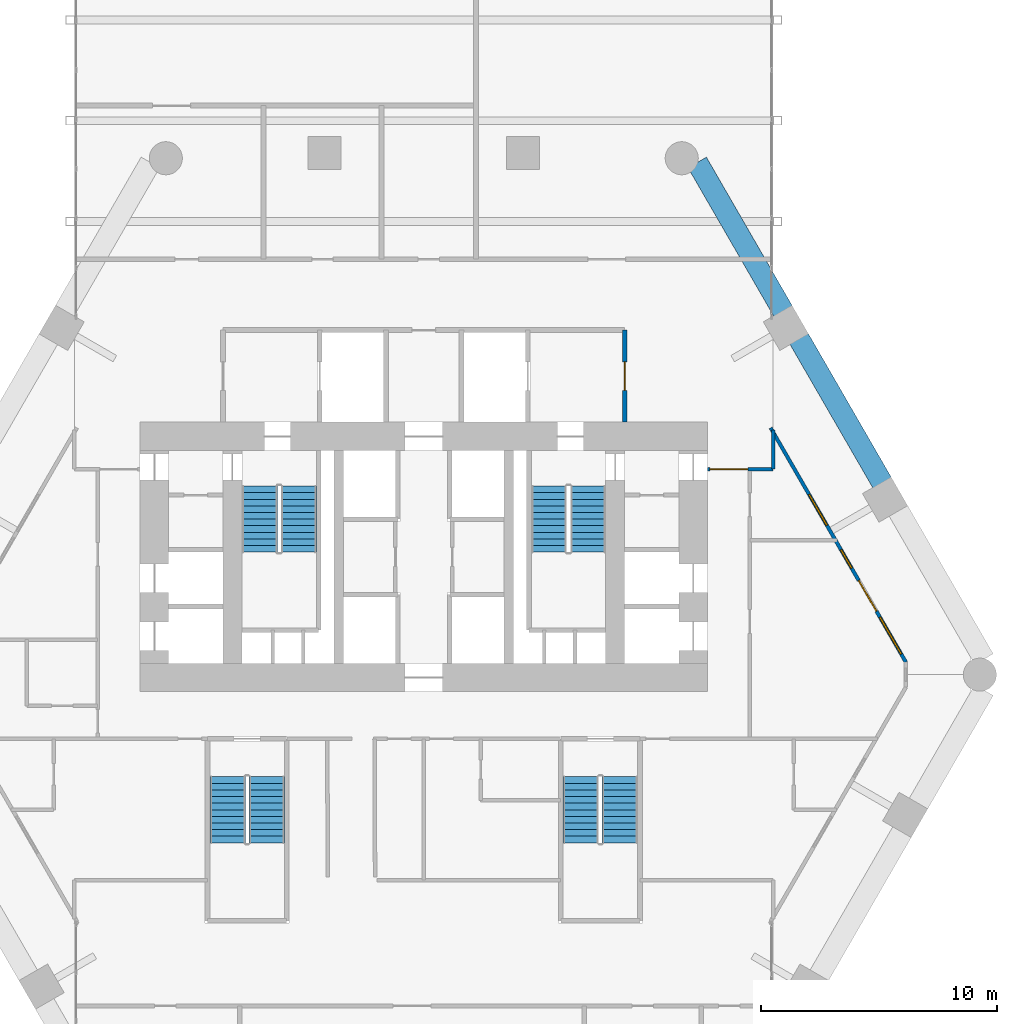
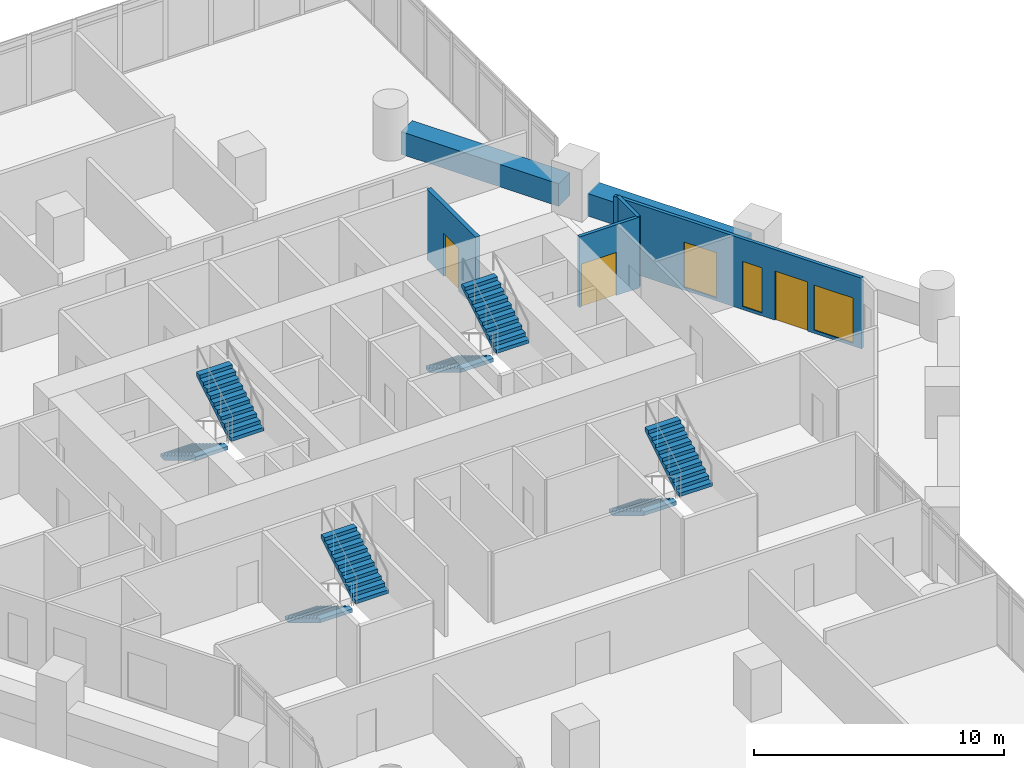
# One storey, part 27 of 28: 8 stair flights, 6 walls, 3 doors, 3 windows, 6 openings, 4 elements without a shape of their own.
"""IFC4 building model written with IfcOpenShell, lengths in metres."""

from ifc_helpers import new_model, si_unit, direction, frame, frame_2d, origin, place, context, subcontext, project, spatial, polyline, rectangle, outline, extrude, material, layer, layer_set, type_object, element, fill, aggregate, save


model = new_model("IFC4")

# Units and contexts
model_context = context("Model", 3, precision=1e-05, world=origin(), true_north=direction((0.0, 1.0)))
body_context = subcontext(model_context, "Body", "Model", "MODEL_VIEW")
ifc_project = project(units=[si_unit("LENGTHUNIT", "METRE"), si_unit("AREAUNIT", "SQUARE_METRE"), si_unit("VOLUMEUNIT", "CUBIC_METRE"), si_unit("PLANEANGLEUNIT", "RADIAN"), si_unit("MASSUNIT", "GRAM", prefix="KILO")], contexts=[model_context])

# Site, building, storey
site_placement = place(None, origin())
site = spatial("IfcSite", under=ifc_project, at=site_placement, CompositionType="ELEMENT")
building_placement = place(site_placement, origin())
building = spatial("IfcBuilding", under=site, at=building_placement, Name="Ostrander Bayou Hotel Tower", CompositionType="ELEMENT")
storey_placement = place(building_placement, frame((0.0, 0.0, 73.0)))
storey = spatial("IfcBuildingStorey", under=building, at=storey_placement, Name="L18", CompositionType="ELEMENT", Elevation=73.0)

# Wall, openings, door, windows
ifc_material_1 = material(Name="Aluminium framed insulated wall", Category="aluminium")
ifc_layer_1 = layer(ifc_material_1, 0.14990234375)
ifc_layer_set_1 = layer_set([ifc_layer_1], Name="GW1 glass-line wall 150 mm")
wall_type_1 = type_object("IfcWallType", Name="GW1 glass-line wall 150 mm", PredefinedType="SOLIDWALL", material=ifc_layer_set_1)
wall_1_placement = place(storey_placement, frame((20.40087890625, -0.449462890625, 0.0), z_axis=(0.0, 0.0, 1.0), x_axis=(-0.499991453095, 0.866030338286, 0.0)))
wall_1 = element("IfcWall", 1, at=wall_1_placement, inside=storey, type_object=wall_type_1, Name="GW1 L18 NE 1", PredefinedType="SOLIDWALL", context=body_context, shape_type="SweptSolid", body=[
    extrude(rectangle(XDim=11.444091796875, YDim=0.14990234375, at=frame_2d((5.72216796875, 0.0))), origin(), (0.0, 0.0, 1.0), 3.449951171875),
])
opening_1_placement = place(wall_1_placement, frame((0.3896484375, 0.0, 0.14990234375)))
opening_1 = element("IfcOpeningElement", 2, at=opening_1_placement, cuts=wall_1, Name="Opening W7", PredefinedType="OPENING", context=body_context, shape_type="SweptSolid", body=[
    extrude(rectangle(XDim=1.800048828125, YDim=2.199951171875, at=frame_2d((0.89990234375, 1.10009765625))), frame((0.0, 0.074951171875, 0.0), z_axis=(0.0, -1.0, 0.0), x_axis=(1.0, 0.0, 0.0)), (0.0, 0.0, 1.0), 0.14990234375),
])
opening_2_placement = place(wall_1_placement, frame((2.48974609375, 0.0, 0.0)))
opening_2 = element("IfcOpeningElement", 3, at=opening_2_placement, cuts=wall_1, Name="Opening T18-801", PredefinedType="OPENING", context=body_context, shape_type="SweptSolid", body=[
    extrude(rectangle(XDim=1.5, YDim=2.39990234375, at=frame_2d((0.75, 1.199951171875))), frame((0.0, 0.074951171875, 0.0), z_axis=(0.0, -1.0, 0.0), x_axis=(1.0, 0.0, 0.0)), (0.0, 0.0, 1.0), 0.14990234375),
])
opening_3_placement = place(wall_1_placement, frame((4.589599609375, 0.0, 0.14990234375)))
opening_3 = element("IfcOpeningElement", 4, at=opening_3_placement, cuts=wall_1, Name="Opening W15", PredefinedType="OPENING", context=body_context, shape_type="SweptSolid", body=[
    extrude(rectangle(XDim=0.89990234375, YDim=2.199951171875, at=frame_2d((0.449951171875, 1.10009765625))), frame((0.0, 0.074951171875, 0.0), z_axis=(0.0, -1.0, 0.0), x_axis=(1.0, 0.0, 0.0)), (0.0, 0.0, 1.0), 0.14990234375),
])
opening_4_placement = place(wall_1_placement, frame((6.689697265625, 0.0, 0.14990234375)))
opening_4 = element("IfcOpeningElement", 5, at=opening_4_placement, cuts=wall_1, Name="Opening W11", PredefinedType="OPENING", context=body_context, shape_type="SweptSolid", body=[
    extrude(rectangle(XDim=1.5, YDim=2.199951171875, at=frame_2d((0.75, 1.10009765625))), frame((0.0, 0.074951171875, 0.0), z_axis=(0.0, -1.0, 0.0), x_axis=(1.0, 0.0, 0.0)), (0.0, 0.0, 1.0), 0.14990234375),
])
ifc_material_2 = material(Name="Aluminium and clear glass", Category="aluminium")
door_type_1 = type_object("IfcDoorType", Name="SD1 sliding glass door 1500 mm, zone 1", OperationType="SLIDING_TO_LEFT", PredefinedType="DOOR", material=ifc_material_2)
door_1_placement = place(opening_2_placement, origin())
door_1 = element("IfcDoor", 6, at=door_1_placement, inside=storey, type_object=door_type_1, Name="SD1 L18 NE 1", OperationType="SLIDING_TO_LEFT", OverallHeight=2.39990234375, OverallWidth=1.5, PredefinedType="DOOR", context=body_context, shape_type="SweptSolid", body=[
    extrude(rectangle(XDim=1.5, YDim=2.39990234375, at=frame_2d((0.75, 1.199951171875))), frame((0.0, 0.02490234375, 0.0), z_axis=(0.0, -1.0, 0.0), x_axis=(1.0, 0.0, 0.0)), (0.0, 0.0, 1.0), 0.050048828125),
])
fill(opening_2, door_1)
ifc_material_3 = material(Name="Aluminium and clear glass", Category="aluminium")
window_type_1 = type_object("IfcWindowType", Name="W11 fixed window 1500 mm, bath bay, zone 1", PartitioningType="SINGLE_PANEL", PredefinedType="WINDOW", material=ifc_material_3)
window_1_placement = place(opening_4_placement, origin())
window_1 = element("IfcWindow", 7, at=window_1_placement, inside=storey, type_object=window_type_1, Name="W11 L18 NE 2", OverallHeight=2.199951171875, OverallWidth=1.5, PartitioningType="SINGLE_PANEL", PredefinedType="WINDOW", context=body_context, shape_type="SweptSolid", body=[
    extrude(rectangle(XDim=1.5, YDim=2.199951171875, at=frame_2d((0.75, 1.10009765625))), frame((0.0, 0.030029296875, 0.0), z_axis=(0.0, -1.0, 0.0), x_axis=(1.0, 0.0, 0.0)), (0.0, 0.0, 1.0), 0.06005859375),
])
fill(opening_4, window_1)
ifc_material_4 = material(Name="Aluminium and clear glass", Category="aluminium")
window_type_2 = type_object("IfcWindowType", Name="W15 window 900 mm, zone 1", PartitioningType="SINGLE_PANEL", PredefinedType="WINDOW", material=ifc_material_4)
window_2_placement = place(opening_3_placement, origin())
window_2 = element("IfcWindow", 8, at=window_2_placement, inside=storey, type_object=window_type_2, Name="W15 L18 NE 2", OverallHeight=2.199951171875, OverallWidth=0.89990234375, PartitioningType="SINGLE_PANEL", PredefinedType="WINDOW", context=body_context, shape_type="SweptSolid", body=[
    extrude(rectangle(XDim=0.89990234375, YDim=2.199951171875, at=frame_2d((0.449951171875, 1.10009765625))), frame((0.0, 0.030029296875, 0.0), z_axis=(0.0, -1.0, 0.0), x_axis=(1.0, 0.0, 0.0)), (0.0, 0.0, 1.0), 0.06005859375),
])
fill(opening_3, window_2)
ifc_material_5 = material(Name="Aluminium and clear glass", Category="aluminium")
window_type_3 = type_object("IfcWindowType", Name="W7 fixed window 1800 mm, bar storeys, zone 1", PartitioningType="SINGLE_PANEL", PredefinedType="WINDOW", material=ifc_material_5)
window_3_placement = place(opening_1_placement, origin())
window_3 = element("IfcWindow", 9, at=window_3_placement, inside=storey, type_object=window_type_3, Name="W7 L18 NE 1", OverallHeight=2.199951171875, OverallWidth=1.800048828125, PartitioningType="SINGLE_PANEL", PredefinedType="WINDOW", context=body_context, shape_type="SweptSolid", body=[
    extrude(rectangle(XDim=1.800048828125, YDim=2.199951171875, at=frame_2d((0.89990234375, 1.10009765625))), frame((0.0, 0.030029296875, 0.0), z_axis=(0.0, -1.0, 0.0), x_axis=(1.0, 0.0, 0.0)), (0.0, 0.0, 1.0), 0.06005859375),
])
fill(opening_1, window_3)

# Walls
ifc_material_6 = material(Name="Concrete f'c 40 MPa", Category="concrete")
ifc_layer_2 = layer(ifc_material_6, 0.89990234375)
ifc_layer_set_2 = layer_set([ifc_layer_2], Name="PA1 stone-faced parapet 900 mm")
wall_type_2 = type_object("IfcWallType", Name="PA1 stone-faced parapet 900 mm", PredefinedType="PARAPET", material=ifc_layer_set_2)
wall_2_placement = place(storey_placement, frame((19.402099609375, 7.131103515625, 0.0), z_axis=(0.0, 0.0, 1.0), x_axis=(-0.500012199891, 0.86601836006, 0.0)))
element("IfcWall", 10, at=wall_2_placement, inside=storey, type_object=wall_type_2, Name="PA1 L18 NE-2", PredefinedType="PARAPET", context=body_context, shape_type="SweptSolid", body=[
    extrude(rectangle(XDim=7.050537109375, YDim=0.89990234375, at=frame_2d((3.525390625, 0.0))), origin(), (0.0, 0.0, 1.0), 1.10009765625),
])
wall_3_placement = place(storey_placement, frame((15.20654296875, 14.397705078125, 0.0), z_axis=(0.0, 0.0, 1.0), x_axis=(-0.50000343918, 0.866023418164, 0.0)))
element("IfcWall", 11, at=wall_3_placement, inside=storey, type_object=wall_type_2, Name="PA1 L18 NE-3", PredefinedType="PARAPET", context=body_context, shape_type="SweptSolid", body=[
    extrude(rectangle(XDim=7.2705078125, YDim=0.89990234375, at=frame_2d((3.63525390625, 0.0))), origin(), (0.0, 0.0, 1.0), 1.10009765625),
])

# Wall, opening, door
ifc_material_7 = material(Name="Masonry block", Category="masonry")
ifc_layer_3 = layer(ifc_material_7, 0.199951171875)
ifc_layer_set_3 = layer_set([ifc_layer_3], Name="PT5 stair enclosure wall 200 mm masonry, 2 hour")
wall_type_3 = type_object("IfcWallType", Name="PT5 stair enclosure wall 200 mm masonry, 2 hour", PredefinedType="PARTITIONING", material=ifc_layer_set_3)
wall_4_placement = place(storey_placement, frame((8.5, 9.699951171875, 0.0), z_axis=(0.0, 0.0, 1.0), x_axis=(0.0, 1.0, 0.0)))
wall_4 = element("IfcWall", 12, at=wall_4_placement, inside=storey, type_object=wall_type_3, Name="cs:L18:027", PredefinedType="PARTITIONING", context=body_context, shape_type="SweptSolid", body=[
    extrude(rectangle(XDim=3.900146484375, YDim=0.199951171875, at=frame_2d((1.9501953125, 0.0))), origin(), (0.0, 0.0, 1.0), 3.449951171875),
])
opening_5_placement = place(wall_4_placement, frame((1.35009765625, 0.0, 0.0)))
opening_5 = element("IfcOpeningElement", 13, at=opening_5_placement, cuts=wall_4, Name="Opening T18-012", PredefinedType="OPENING", context=body_context, shape_type="SweptSolid", body=[
    extrude(rectangle(XDim=1.199951171875, YDim=2.10009765625, at=frame_2d((0.60009765625, 1.050048828125))), frame((0.0, 0.10009765625, 0.0), z_axis=(0.0, -1.0, 0.0), x_axis=(1.0, 0.0, 0.0)), (0.0, 0.0, 1.0), 0.199951171875),
])
ifc_material_8 = material(Name="Timber door leaf", Category="wood")
door_type_2 = type_object("IfcDoorType", Name="D7 lobby door 1200 x 2100 mm, 1 hour", OperationType="SINGLE_SWING_LEFT", PredefinedType="DOOR", material=ifc_material_8)
door_2_placement = place(opening_5_placement, origin())
door_2 = element("IfcDoor", 14, at=door_2_placement, inside=storey, type_object=door_type_2, Name="dr:L18:012", OperationType="SINGLE_SWING_LEFT", OverallHeight=2.10009765625, OverallWidth=1.199951171875, PredefinedType="DOOR", context=body_context, shape_type="SweptSolid", body=[
    extrude(rectangle(XDim=1.199951171875, YDim=2.10009765625, at=frame_2d((0.60009765625, 1.050048828125))), frame((0.0, 0.02490234375, 0.0), z_axis=(0.0, -1.0, 0.0), x_axis=(1.0, 0.0, 0.0)), (0.0, 0.0, 1.0), 0.050048828125),
])
fill(opening_5, door_2)

ifc_material_9 = material(Name="Gypsum board partition", Category="finish")
ifc_layer_4 = layer(ifc_material_9, 0.14990234375)
ifc_layer_set_4 = layer_set([ifc_layer_4], Name="PT8 service band wall 150 mm, 1 hour")
wall_type_4 = type_object("IfcWallType", Name="PT8 service band wall 150 mm, 1 hour", PredefinedType="PARTITIONING", material=ifc_layer_set_4)
wall_5_placement = place(storey_placement, frame((12.010009765625, 7.715087890625, 0.0), z_axis=(0.0, 0.0, 1.0), x_axis=(1.0, 0.0, 0.0)))
wall_5 = element("IfcWall", 15, at=wall_5_placement, inside=storey, type_object=wall_type_4, Name="gw:L18:015", PredefinedType="PARTITIONING", context=body_context, shape_type="SweptSolid", body=[
    extrude(rectangle(XDim=2.77490234375, YDim=0.14990234375, at=frame_2d((1.387451171875, 0.0))), origin(), (0.0, 0.0, 1.0), 3.449951171875),
])
opening_6_placement = place(wall_5_placement, frame((0.10009765625, 0.0, 0.0)))
opening_6 = element("IfcOpeningElement", 16, at=opening_6_placement, cuts=wall_5, Name="Opening T18-1213", PredefinedType="OPENING", context=body_context, shape_type="SweptSolid", body=[
    extrude(rectangle(XDim=1.60009765625, YDim=2.10009765625, at=frame_2d((0.800048828125, 1.050048828125))), frame((0.0, 0.074951171875, 0.0), z_axis=(0.0, -1.0, 0.0), x_axis=(1.0, 0.0, 0.0)), (0.0, 0.0, 1.0), 0.14990234375),
])
ifc_material_10 = material(Name="Timber door leaf", Category="wood")
door_type_3 = type_object("IfcDoorType", Name="D13 double door 1600 x 2100 mm, 1 hour", OperationType="SINGLE_SWING_LEFT", PredefinedType="DOOR", material=ifc_material_10)
door_3_placement = place(opening_6_placement, origin())
door_3 = element("IfcDoor", 17, at=door_3_placement, inside=storey, type_object=door_type_3, Name="dr:L18:1213", OperationType="DOUBLE_DOOR_SINGLE_SWING", OverallHeight=2.10009765625, OverallWidth=1.60009765625, PredefinedType="DOOR", context=body_context, shape_type="SweptSolid", body=[
    extrude(rectangle(XDim=1.60009765625, YDim=2.10009765625, at=frame_2d((0.800048828125, 1.050048828125))), frame((0.0, 0.02490234375, 0.0), z_axis=(0.0, -1.0, 0.0), x_axis=(1.0, 0.0, 0.0)), (0.0, 0.0, 1.0), 0.050048828125),
])
fill(opening_6, door_3)

# Wall
wall_6_placement = place(storey_placement, frame((14.784912109375, 7.715087890625, 0.0), z_axis=(0.0, 0.0, 1.0), x_axis=(0.0, 1.0, 0.0)))
element("IfcWall", 18, at=wall_6_placement, inside=storey, type_object=wall_type_4, Name="gw:L18:018", PredefinedType="PARTITIONING", context=body_context, shape_type="SweptSolid", body=[
    extrude(rectangle(XDim=1.65283203125, YDim=0.14990234375, at=frame_2d((0.826416015625, 0.0))), origin(), (0.0, 0.0, 1.0), 3.449951171875),
])

# Stair, stair flights
ifc_material_11 = material(Name="Concrete f'c 45 MPa", Category="concrete")
stair_type = type_object("IfcStairType", Name="ST1 exit stair 1500 mm f'c 45 MPa", PredefinedType="HALF_TURN_STAIR", material=ifc_material_11)
stair_1_placement = place(storey_placement, origin())
stair_1 = element("IfcStair", 19, at=stair_1_placement, inside=storey, type_object=stair_type, Name="L18 exit stair A", PredefinedType="HALF_TURN_STAIR")
ifc_material_12 = material(Name="Concrete f'c 45 MPa", Category="concrete")
stair_flight_type = type_object("IfcStairFlightType", Name="SF1 stair flight 1500 mm f'c 45 MPa", PredefinedType="STRAIGHT", material=ifc_material_12)
stair_flight_1_placement = place(storey_placement, frame((-6.949951171875, 7.0, 0.0), z_axis=(0.0, 0.0, 1.0), x_axis=(0.0, -1.0, 0.0)))
stair_flight_1 = element("IfcStairFlight", 20, at=stair_flight_1_placement, type_object=stair_flight_type, Name="STA flight 1", NumberOfRisers=11, NumberOfTreads=10, PredefinedType="STRAIGHT", RiserHeight=0.170454545, TreadLength=0.28, context=body_context, shape_type="SweptSolid", body=[
    extrude(outline(polyline([(0.0, 0.0), (0.0, 0.17041015625), (0.280029296875, 0.17041015625), (0.280029296875, 0.3408203125), (0.56005859375, 0.3408203125), (0.56005859375, 0.511474609375), (0.840087890625, 0.511474609375), (0.840087890625, 0.681884765625), (1.1201171875, 0.681884765625), (1.1201171875, 0.852294921875), (1.39990234375, 0.852294921875), (1.39990234375, 1.022705078125), (1.679931640625, 1.022705078125), (1.679931640625, 1.193115234375), (1.9599609375, 1.193115234375), (1.9599609375, 1.363525390625), (2.239990234375, 1.363525390625), (2.239990234375, 1.5341796875), (2.52001953125, 1.5341796875), (2.52001953125, 1.70458984375), (2.800048828125, 1.70458984375), (2.800048828125, 1.875), (2.800048828125, 1.529052734375), (0.288330078125, 0.0), (0.0, 0.0)])), frame((0.0, 0.75, 0.0), z_axis=(0.0, -1.0, 0.0), x_axis=(1.0, 0.0, 0.0)), (0.0, 0.0, 1.0), 1.5),
])
stair_flight_2_placement = place(storey_placement, frame((-5.300048828125, 4.199951171875, 1.875), z_axis=(0.0, 0.0, 1.0), x_axis=(0.0, 1.0, 0.0)))
stair_flight_2 = element("IfcStairFlight", 21, at=stair_flight_2_placement, type_object=stair_flight_type, Name="STA flight 2", NumberOfRisers=11, NumberOfTreads=10, PredefinedType="STRAIGHT", RiserHeight=0.170454545, TreadLength=0.28, context=body_context, shape_type="SweptSolid", body=[
    extrude(outline(polyline([(0.0, 0.0), (0.0, 0.17041015625), (0.280029296875, 0.17041015625), (0.280029296875, 0.3408203125), (0.56005859375, 0.3408203125), (0.56005859375, 0.511474609375), (0.840087890625, 0.511474609375), (0.840087890625, 0.681884765625), (1.1201171875, 0.681884765625), (1.1201171875, 0.852294921875), (1.39990234375, 0.852294921875), (1.39990234375, 1.022705078125), (1.679931640625, 1.022705078125), (1.679931640625, 1.193115234375), (1.9599609375, 1.193115234375), (1.9599609375, 1.363525390625), (2.239990234375, 1.363525390625), (2.239990234375, 1.5341796875), (2.52001953125, 1.5341796875), (2.52001953125, 1.70458984375), (2.800048828125, 1.70458984375), (2.800048828125, 1.875), (2.800048828125, 1.529052734375), (0.288330078125, 0.0), (0.0, 0.0)])), frame((0.0, 0.75, 0.0), z_axis=(0.0, -1.0, 0.0), x_axis=(1.0, 0.0, 0.0)), (0.0, 0.0, 1.0), 1.5),
])
aggregate(stair_1, [stair_flight_1, stair_flight_2])

stair_2_placement = place(storey_placement, origin())
stair_2 = element("IfcStair", 22, at=stair_2_placement, inside=storey, type_object=stair_type, Name="L18 exit stair B", PredefinedType="HALF_TURN_STAIR")
stair_flight_3_placement = place(storey_placement, frame((5.300048828125, 7.0, 0.0), z_axis=(0.0, 0.0, 1.0), x_axis=(0.0, -1.0, 0.0)))
stair_flight_3 = element("IfcStairFlight", 23, at=stair_flight_3_placement, type_object=stair_flight_type, Name="STB flight 1", NumberOfRisers=11, NumberOfTreads=10, PredefinedType="STRAIGHT", RiserHeight=0.170454545, TreadLength=0.28, context=body_context, shape_type="SweptSolid", body=[
    extrude(outline(polyline([(0.0, 0.0), (0.0, 0.17041015625), (0.280029296875, 0.17041015625), (0.280029296875, 0.3408203125), (0.56005859375, 0.3408203125), (0.56005859375, 0.511474609375), (0.840087890625, 0.511474609375), (0.840087890625, 0.681884765625), (1.1201171875, 0.681884765625), (1.1201171875, 0.852294921875), (1.39990234375, 0.852294921875), (1.39990234375, 1.022705078125), (1.679931640625, 1.022705078125), (1.679931640625, 1.193115234375), (1.9599609375, 1.193115234375), (1.9599609375, 1.363525390625), (2.239990234375, 1.363525390625), (2.239990234375, 1.5341796875), (2.52001953125, 1.5341796875), (2.52001953125, 1.70458984375), (2.800048828125, 1.70458984375), (2.800048828125, 1.875), (2.800048828125, 1.529052734375), (0.288330078125, 0.0), (0.0, 0.0)])), frame((0.0, 0.75, 0.0), z_axis=(0.0, -1.0, 0.0), x_axis=(1.0, 0.0, 0.0)), (0.0, 0.0, 1.0), 1.5),
])
stair_flight_4_placement = place(storey_placement, frame((6.949951171875, 4.199951171875, 1.875), z_axis=(0.0, 0.0, 1.0), x_axis=(0.0, 1.0, 0.0)))
stair_flight_4 = element("IfcStairFlight", 24, at=stair_flight_4_placement, type_object=stair_flight_type, Name="STB flight 2", NumberOfRisers=11, NumberOfTreads=10, PredefinedType="STRAIGHT", RiserHeight=0.170454545, TreadLength=0.28, context=body_context, shape_type="SweptSolid", body=[
    extrude(outline(polyline([(0.0, 0.0), (0.0, 0.17041015625), (0.280029296875, 0.17041015625), (0.280029296875, 0.3408203125), (0.56005859375, 0.3408203125), (0.56005859375, 0.511474609375), (0.840087890625, 0.511474609375), (0.840087890625, 0.681884765625), (1.1201171875, 0.681884765625), (1.1201171875, 0.852294921875), (1.39990234375, 0.852294921875), (1.39990234375, 1.022705078125), (1.679931640625, 1.022705078125), (1.679931640625, 1.193115234375), (1.9599609375, 1.193115234375), (1.9599609375, 1.363525390625), (2.239990234375, 1.363525390625), (2.239990234375, 1.5341796875), (2.52001953125, 1.5341796875), (2.52001953125, 1.70458984375), (2.800048828125, 1.70458984375), (2.800048828125, 1.875), (2.800048828125, 1.529052734375), (0.288330078125, 0.0), (0.0, 0.0)])), frame((0.0, 0.75, 0.0), z_axis=(0.0, -1.0, 0.0), x_axis=(1.0, 0.0, 0.0)), (0.0, 0.0, 1.0), 1.5),
])
aggregate(stair_2, [stair_flight_3, stair_flight_4])

stair_3_placement = place(storey_placement, origin())
stair_3 = element("IfcStair", 25, at=stair_3_placement, inside=storey, type_object=stair_type, Name="L18 exit stair C", PredefinedType="HALF_TURN_STAIR")
stair_flight_5_placement = place(storey_placement, frame((6.64990234375, -5.300048828125, 0.0), z_axis=(0.0, 0.0, 1.0), x_axis=(0.0, -1.0, 0.0)))
stair_flight_5 = element("IfcStairFlight", 26, at=stair_flight_5_placement, type_object=stair_flight_type, Name="STC flight 1", NumberOfRisers=11, NumberOfTreads=10, PredefinedType="STRAIGHT", RiserHeight=0.170454545, TreadLength=0.28, context=body_context, shape_type="SweptSolid", body=[
    extrude(outline(polyline([(0.0, 0.0), (0.0, 0.17041015625), (0.280029296875, 0.17041015625), (0.280029296875, 0.3408203125), (0.56005859375, 0.3408203125), (0.56005859375, 0.511474609375), (0.840087890625, 0.511474609375), (0.840087890625, 0.681884765625), (1.1201171875, 0.681884765625), (1.1201171875, 0.852294921875), (1.39990234375, 0.852294921875), (1.39990234375, 1.022705078125), (1.679931640625, 1.022705078125), (1.679931640625, 1.193115234375), (1.9599609375, 1.193115234375), (1.9599609375, 1.363525390625), (2.239990234375, 1.363525390625), (2.239990234375, 1.5341796875), (2.52001953125, 1.5341796875), (2.52001953125, 1.70458984375), (2.800048828125, 1.70458984375), (2.800048828125, 1.875), (2.800048828125, 1.529052734375), (0.288330078125, 0.0), (0.0, 0.0)])), frame((0.0, 0.75, 0.0), z_axis=(0.0, -1.0, 0.0), x_axis=(1.0, 0.0, 0.0)), (0.0, 0.0, 1.0), 1.5),
])
stair_flight_6_placement = place(storey_placement, frame((8.300048828125, -8.10009765625, 1.875), z_axis=(0.0, 0.0, 1.0), x_axis=(0.0, 1.0, 0.0)))
stair_flight_6 = element("IfcStairFlight", 27, at=stair_flight_6_placement, type_object=stair_flight_type, Name="STC flight 2", NumberOfRisers=11, NumberOfTreads=10, PredefinedType="STRAIGHT", RiserHeight=0.170454545, TreadLength=0.28, context=body_context, shape_type="SweptSolid", body=[
    extrude(outline(polyline([(0.0, 0.0), (0.0, 0.17041015625), (0.280029296875, 0.17041015625), (0.280029296875, 0.3408203125), (0.56005859375, 0.3408203125), (0.56005859375, 0.511474609375), (0.840087890625, 0.511474609375), (0.840087890625, 0.681884765625), (1.1201171875, 0.681884765625), (1.1201171875, 0.852294921875), (1.39990234375, 0.852294921875), (1.39990234375, 1.022705078125), (1.679931640625, 1.022705078125), (1.679931640625, 1.193115234375), (1.9599609375, 1.193115234375), (1.9599609375, 1.363525390625), (2.239990234375, 1.363525390625), (2.239990234375, 1.5341796875), (2.52001953125, 1.5341796875), (2.52001953125, 1.70458984375), (2.800048828125, 1.70458984375), (2.800048828125, 1.875), (2.800048828125, 1.529052734375), (0.288330078125, 0.0), (0.0, 0.0)])), frame((0.0, 0.75, 0.0), z_axis=(0.0, -1.0, 0.0), x_axis=(1.0, 0.0, 0.0)), (0.0, 0.0, 1.0), 1.5),
])
aggregate(stair_3, [stair_flight_5, stair_flight_6])

stair_4_placement = place(storey_placement, origin())
stair_4 = element("IfcStair", 28, at=stair_4_placement, inside=storey, type_object=stair_type, Name="L18 exit stair D", PredefinedType="HALF_TURN_STAIR")
stair_flight_7_placement = place(storey_placement, frame((-8.300048828125, -5.300048828125, 0.0), z_axis=(0.0, 0.0, 1.0), x_axis=(0.0, -1.0, 0.0)))
stair_flight_7 = element("IfcStairFlight", 29, at=stair_flight_7_placement, type_object=stair_flight_type, Name="STD flight 1", NumberOfRisers=11, NumberOfTreads=10, PredefinedType="STRAIGHT", RiserHeight=0.170454545, TreadLength=0.28, context=body_context, shape_type="SweptSolid", body=[
    extrude(outline(polyline([(0.0, 0.0), (0.0, 0.17041015625), (0.280029296875, 0.17041015625), (0.280029296875, 0.3408203125), (0.56005859375, 0.3408203125), (0.56005859375, 0.511474609375), (0.840087890625, 0.511474609375), (0.840087890625, 0.681884765625), (1.1201171875, 0.681884765625), (1.1201171875, 0.852294921875), (1.39990234375, 0.852294921875), (1.39990234375, 1.022705078125), (1.679931640625, 1.022705078125), (1.679931640625, 1.193115234375), (1.9599609375, 1.193115234375), (1.9599609375, 1.363525390625), (2.239990234375, 1.363525390625), (2.239990234375, 1.5341796875), (2.52001953125, 1.5341796875), (2.52001953125, 1.70458984375), (2.800048828125, 1.70458984375), (2.800048828125, 1.875), (2.800048828125, 1.529052734375), (0.288330078125, 0.0), (0.0, 0.0)])), frame((0.0, 0.75, 0.0), z_axis=(0.0, -1.0, 0.0), x_axis=(1.0, 0.0, 0.0)), (0.0, 0.0, 1.0), 1.5),
])
stair_flight_8_placement = place(storey_placement, frame((-6.64990234375, -8.10009765625, 1.875), z_axis=(0.0, 0.0, 1.0), x_axis=(0.0, 1.0, 0.0)))
stair_flight_8 = element("IfcStairFlight", 30, at=stair_flight_8_placement, type_object=stair_flight_type, Name="STD flight 2", NumberOfRisers=11, NumberOfTreads=10, PredefinedType="STRAIGHT", RiserHeight=0.170454545, TreadLength=0.28, context=body_context, shape_type="SweptSolid", body=[
    extrude(outline(polyline([(0.0, 0.0), (0.0, 0.17041015625), (0.280029296875, 0.17041015625), (0.280029296875, 0.3408203125), (0.56005859375, 0.3408203125), (0.56005859375, 0.511474609375), (0.840087890625, 0.511474609375), (0.840087890625, 0.681884765625), (1.1201171875, 0.681884765625), (1.1201171875, 0.852294921875), (1.39990234375, 0.852294921875), (1.39990234375, 1.022705078125), (1.679931640625, 1.022705078125), (1.679931640625, 1.193115234375), (1.9599609375, 1.193115234375), (1.9599609375, 1.363525390625), (2.239990234375, 1.363525390625), (2.239990234375, 1.5341796875), (2.52001953125, 1.5341796875), (2.52001953125, 1.70458984375), (2.800048828125, 1.70458984375), (2.800048828125, 1.875), (2.800048828125, 1.529052734375), (0.288330078125, 0.0), (0.0, 0.0)])), frame((0.0, 0.75, 0.0), z_axis=(0.0, -1.0, 0.0), x_axis=(1.0, 0.0, 0.0)), (0.0, 0.0, 1.0), 1.5),
])
aggregate(stair_4, [stair_flight_7, stair_flight_8])

save(model, "model.ifc")
